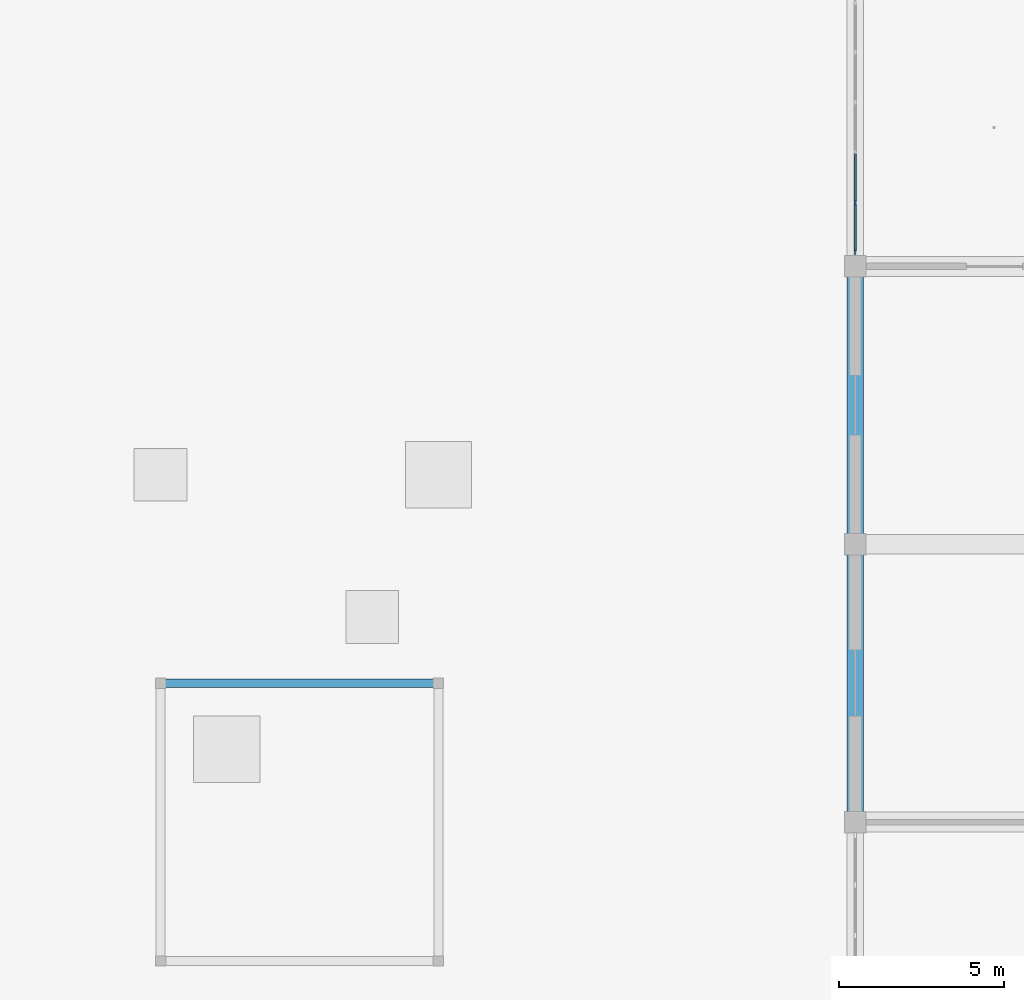
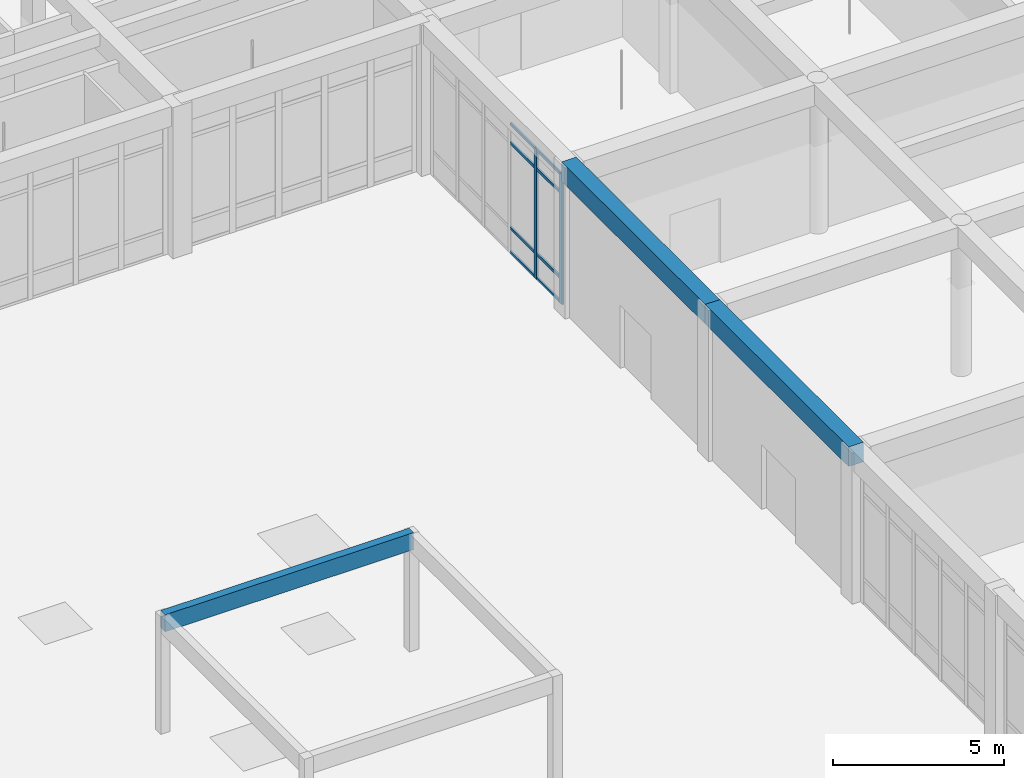
# One storey, part 26 of 167: 10 members, 3 beams, 1 element without a shape of its own.
"""IFC4 building model written with IfcOpenShell, lengths in metres."""

from ifc_helpers import new_model, si_unit, direction, frame, origin, origin_2d, place, context, subcontext, project, spatial, rectangle, extrude, material, material_profile, profile_set, type_object, element, aggregate, save


model = new_model("IFC4")

# Units and contexts
model_context = context("Model", 3, precision=1e-05, world=origin(), true_north=direction((0.0, 1.0)))
body_context = subcontext(model_context, "Body", "Model", "MODEL_VIEW")
ifc_project = project(units=[si_unit("LENGTHUNIT", "METRE"), si_unit("AREAUNIT", "SQUARE_METRE"), si_unit("VOLUMEUNIT", "CUBIC_METRE"), si_unit("PLANEANGLEUNIT", "RADIAN"), si_unit("MASSUNIT", "GRAM", prefix="KILO")], contexts=[model_context])

# Site, building, storey
site_placement = place(None, origin())
site = spatial("IfcSite", under=ifc_project, at=site_placement, CompositionType="ELEMENT")
building_placement = place(site_placement, origin())
building = spatial("IfcBuilding", under=site, at=building_placement, Name="Varncliffe General Hospital", CompositionType="ELEMENT")
storey_placement = place(building_placement, origin())
storey = spatial("IfcBuildingStorey", under=building, at=storey_placement, Name="L00", CompositionType="ELEMENT", Elevation=0.0)

# Beam
ifc_material_1 = material(Name="Glulam GL28h (CSA O86 24f-EX, 30 MPa)", Category="wood")
ifc_material_profile_1 = material_profile(ifc_material_1, rectangle(XDim=0.264892578125, YDim=0.60791015625, at=origin_2d()), Name="GL 265x608")
ifc_profile_set_1 = profile_set([ifc_material_profile_1], Name="Glulam GL28h (CSA O86 24f-EX, 30 MPa)")
beam_type_1 = type_object("IfcBeamType", Name="Beam B82 (Ext GL 265x608)", PredefinedType="BEAM", material=ifc_profile_set_1)
beam_placement = place(storey_placement, frame((37.800048828125, 61.800048828125, 3.89599609375), z_axis=(1.0, 0.0, 0.0), x_axis=(0.0, 1.0, 0.0)))
element("IfcBeam", 1, at=beam_placement, inside=storey, type_object=beam_type_1, Name="L00 Cloister Pergola Glulam Beam W2", PredefinedType="BEAM", context=body_context, shape_type="SweptSolid", body=[
    extrude(rectangle(XDim=0.264892578125, YDim=0.60791015625, at=origin_2d()), origin(), (0.0, 0.0, 1.0), 8.39990234375),
])

# Curtain wall, members
ifc_material_2 = material(Name="Triple low-E argon insulated vision glazing", Category="glass")
curtain_wall_type = type_object("IfcCurtainWallType", Name="Unitised Glazed Curtain Wall CW26 (7594x4640)", PredefinedType="USERDEFINED", material=ifc_material_2)
curtain_wall_placement = place(storey_placement, origin())
curtain_wall = element("IfcCurtainWall", 2, at=curtain_wall_placement, inside=storey, type_object=curtain_wall_type, Name="L00 Glazed Curtain Wall CW26-23", ObjectType="GLAZED CURTAIN WALL", PredefinedType="USERDEFINED")
ifc_material_3 = material(Name="Dark bronze thermally broken aluminium framing", Category="aluminium")
ifc_material_profile_2 = material_profile(ifc_material_3, rectangle(XDim=0.06494140625, YDim=0.159912109375, at=origin_2d()), Name="ALU 65x160")
ifc_profile_set_2 = profile_set([ifc_material_profile_2], Name="Dark bronze thermally broken aluminium framing")
member_type_1 = type_object("IfcMemberType", Name="Curtain Wall Mullion CM65 (ALU 65x160)", PredefinedType="MULLION", material=ifc_profile_set_2)
member_1_placement = place(storey_placement, frame((58.800048828125, 74.83544921875, 0.0), z_axis=(0.0, 0.0, 1.0), x_axis=(-1.0, 0.0, 0.0)))
member_1 = element("IfcMember", 3, at=member_1_placement, type_object=member_type_1, Name="CW26 mullion 1", PredefinedType="MULLION", context=body_context, shape_type="SweptSolid", body=[
    extrude(rectangle(XDim=0.06494140625, YDim=0.159912109375, at=origin_2d()), origin(), (0.0, 0.0, 1.0), 4.639892578125),
])
member_2_placement = place(storey_placement, frame((58.800048828125, 76.32177734375, 0.0), z_axis=(0.0, 0.0, 1.0), x_axis=(-1.0, 0.0, 0.0)))
member_2 = element("IfcMember", 4, at=member_2_placement, type_object=member_type_1, Name="CW26 mullion 2", PredefinedType="MULLION", context=body_context, shape_type="SweptSolid", body=[
    extrude(rectangle(XDim=0.06494140625, YDim=0.159912109375, at=origin_2d()), origin(), (0.0, 0.0, 1.0), 4.639892578125),
])
ifc_material_profile_3 = material_profile(ifc_material_3, rectangle(XDim=0.06005859375, YDim=0.10009765625, at=origin_2d()), Name="ALU 60x100")
ifc_profile_set_3 = profile_set([ifc_material_profile_3], Name="Dark bronze thermally broken aluminium framing")
member_type_2 = type_object("IfcMemberType", Name="Curtain Wall Transom CT18 (ALU 60x100)", PredefinedType="USERDEFINED", material=ifc_profile_set_3)
member_3_placement = place(storey_placement, frame((58.800048828125, 74.867919921875, 0.030029296875), z_axis=(0.0, 1.0, 0.0), x_axis=(-1.0, 0.0, 0.0)))
member_3 = element("IfcMember", 5, at=member_3_placement, type_object=member_type_2, Name="CW26 transom 1.1", ObjectType="TRANSOM", PredefinedType="USERDEFINED", context=body_context, shape_type="SweptSolid", body=[
    extrude(rectangle(XDim=0.06005859375, YDim=0.10009765625, at=origin_2d()), origin(), (0.0, 0.0, 1.0), 1.42138671875),
])
member_4_placement = place(storey_placement, frame((58.800048828125, 74.867919921875, 0.89990234375), z_axis=(0.0, 1.0, 0.0), x_axis=(-1.0, 0.0, 0.0)))
member_4 = element("IfcMember", 6, at=member_4_placement, type_object=member_type_2, Name="CW26 transom 1.2", ObjectType="TRANSOM", PredefinedType="USERDEFINED", context=body_context, shape_type="SweptSolid", body=[
    extrude(rectangle(XDim=0.06005859375, YDim=0.10009765625, at=origin_2d()), origin(), (0.0, 0.0, 1.0), 1.42138671875),
])
member_5_placement = place(storey_placement, frame((58.800048828125, 74.867919921875, 3.93994140625), z_axis=(0.0, 1.0, 0.0), x_axis=(-1.0, 0.0, 0.0)))
member_5 = element("IfcMember", 7, at=member_5_placement, type_object=member_type_2, Name="CW26 transom 1.3", ObjectType="TRANSOM", PredefinedType="USERDEFINED", context=body_context, shape_type="SweptSolid", body=[
    extrude(rectangle(XDim=0.06005859375, YDim=0.10009765625, at=origin_2d()), origin(), (0.0, 0.0, 1.0), 1.42138671875),
])
member_6_placement = place(storey_placement, frame((58.800048828125, 74.867919921875, 4.610107421875), z_axis=(0.0, 1.0, 0.0), x_axis=(-1.0, 0.0, 0.0)))
member_6 = element("IfcMember", 8, at=member_6_placement, type_object=member_type_2, Name="CW26 transom 1.4", ObjectType="TRANSOM", PredefinedType="USERDEFINED", context=body_context, shape_type="SweptSolid", body=[
    extrude(rectangle(XDim=0.06005859375, YDim=0.10009765625, at=origin_2d()), origin(), (0.0, 0.0, 1.0), 1.42138671875),
])
member_7_placement = place(storey_placement, frame((58.800048828125, 76.354248046875, 0.030029296875), z_axis=(0.0, 1.0, 0.0), x_axis=(-1.0, 0.0, 0.0)))
member_7 = element("IfcMember", 9, at=member_7_placement, type_object=member_type_2, Name="CW26 transom 2.1", ObjectType="TRANSOM", PredefinedType="USERDEFINED", context=body_context, shape_type="SweptSolid", body=[
    extrude(rectangle(XDim=0.06005859375, YDim=0.10009765625, at=origin_2d()), origin(), (0.0, 0.0, 1.0), 1.453857421875),
])
member_8_placement = place(storey_placement, frame((58.800048828125, 76.354248046875, 0.89990234375), z_axis=(0.0, 1.0, 0.0), x_axis=(-1.0, 0.0, 0.0)))
member_8 = element("IfcMember", 10, at=member_8_placement, type_object=member_type_2, Name="CW26 transom 2.2", ObjectType="TRANSOM", PredefinedType="USERDEFINED", context=body_context, shape_type="SweptSolid", body=[
    extrude(rectangle(XDim=0.06005859375, YDim=0.10009765625, at=origin_2d()), origin(), (0.0, 0.0, 1.0), 1.453857421875),
])
member_9_placement = place(storey_placement, frame((58.800048828125, 76.354248046875, 3.93994140625), z_axis=(0.0, 1.0, 0.0), x_axis=(-1.0, 0.0, 0.0)))
member_9 = element("IfcMember", 11, at=member_9_placement, type_object=member_type_2, Name="CW26 transom 2.3", ObjectType="TRANSOM", PredefinedType="USERDEFINED", context=body_context, shape_type="SweptSolid", body=[
    extrude(rectangle(XDim=0.06005859375, YDim=0.10009765625, at=origin_2d()), origin(), (0.0, 0.0, 1.0), 1.453857421875),
])
member_10_placement = place(storey_placement, frame((58.800048828125, 76.354248046875, 4.610107421875), z_axis=(0.0, 1.0, 0.0), x_axis=(-1.0, 0.0, 0.0)))
member_10 = element("IfcMember", 12, at=member_10_placement, type_object=member_type_2, Name="CW26 transom 2.4", ObjectType="TRANSOM", PredefinedType="USERDEFINED", context=body_context, shape_type="SweptSolid", body=[
    extrude(rectangle(XDim=0.06005859375, YDim=0.10009765625, at=origin_2d()), origin(), (0.0, 0.0, 1.0), 1.453857421875),
])
aggregate(curtain_wall, [member_1, member_2, member_3, member_4, member_5, member_6, member_7, member_8, member_9, member_10])

# Beams
ifc_material_4 = material(Name="Concrete C35/45 (CSA A23.1 35 MPa)", Category="concrete")
ifc_material_profile_4 = material_profile(ifc_material_4, rectangle(XDim=0.5, YDim=0.699951171875, at=origin_2d()), Name="RC 500x700")
ifc_profile_set_4 = profile_set([ifc_material_profile_4], Name="Concrete C35/45 (CSA A23.1 35 MPa)")
beam_type_2 = type_object("IfcBeamType", Name="Spandrel SP19 (Ext RC 500x700)", PredefinedType="SPANDREL", material=ifc_profile_set_4)
for number, where, z_axis, x_axis, name in (
    (13, (58.800048828125, 57.60009765625, 5.050048828125), (0.0, 1.0, 0.0), (-1.0, 0.0, 0.0), "L00 Spandrel Beam SP19-358"),
    (14, (58.800048828125, 66.0, 5.050048828125), (0.0, 1.0, 0.0), (-1.0, 0.0, 0.0), "L00 Spandrel Beam SP19-359"),
):
    element("IfcBeam", number, at=place(storey_placement, frame(where, z_axis=z_axis, x_axis=x_axis)), inside=storey, type_object=beam_type_2, Name=name, PredefinedType="SPANDREL", context=body_context, shape_type="SweptSolid", body=[
        extrude(rectangle(XDim=0.5, YDim=0.699951171875, at=origin_2d()), origin(), (0.0, 0.0, 1.0), 8.39990234375),
    ])

save(model, "model.ifc")
